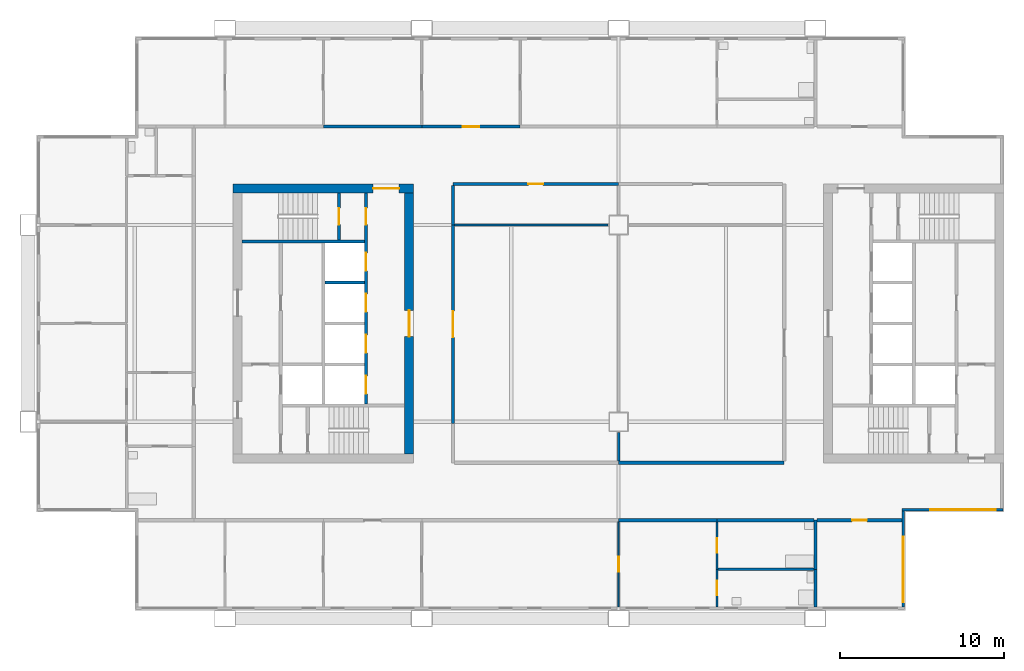
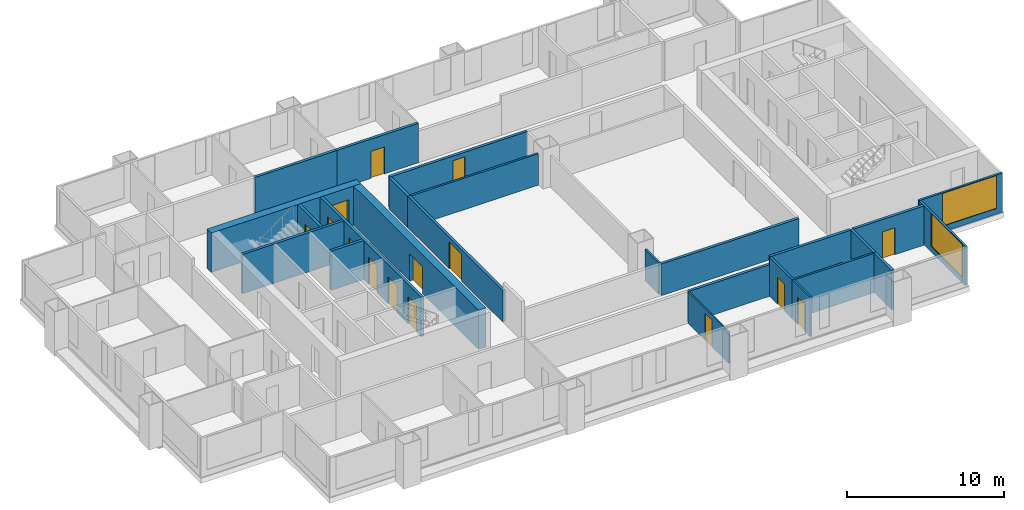
# One storey, part 4 of 9: 25 walls, 15 doors, 2 windows, 17 openings.
"""IFC4 building model written with IfcOpenShell, lengths in metres."""

from ifc_helpers import new_model, si_unit, direction, frame, frame_2d, origin, place, context, subcontext, project, spatial, rectangle, extrude, material, layer, layer_set, type_object, element, fill, save


model = new_model("IFC4")

# Units and contexts
model_context = context("Model", 3, precision=1e-05, world=origin(), true_north=direction((0.0, 1.0)))
body_context = subcontext(model_context, "Body", "Model", "MODEL_VIEW")
ifc_project = project(units=[si_unit("LENGTHUNIT", "METRE"), si_unit("AREAUNIT", "SQUARE_METRE"), si_unit("VOLUMEUNIT", "CUBIC_METRE"), si_unit("PLANEANGLEUNIT", "RADIAN"), si_unit("MASSUNIT", "GRAM", prefix="KILO")], contexts=[model_context])

# Site, building, storey
site_placement = place(None, origin())
site = spatial("IfcSite", under=ifc_project, at=site_placement, CompositionType="ELEMENT")
building_placement = place(site_placement, origin())
building = spatial("IfcBuilding", under=site, at=building_placement, Name="Kitamizu Gate Tower and Museum", CompositionType="ELEMENT")
storey_placement = place(building_placement, frame((0.0, 0.0, 168.60009765625)))
storey = spatial("IfcBuildingStorey", under=building, at=storey_placement, Name="L44", CompositionType="ELEMENT", Elevation=168.60009765625)

# Wall, opening, door
ifc_material_1 = material(Name="Concrete Fc42", Category="concrete")
ifc_layer_1 = layer(ifc_material_1, 0.550048828125)
ifc_layer_set_1 = layer_set([ifc_layer_1], Name="Concrete Fc42")
wall_type_1 = type_object("IfcWallType", Name="Core wall 550", PredefinedType="SHEAR", material=ifc_layer_set_1)
wall_1_placement = place(storey_placement, frame((12.5, 38.22509765625, 0.0), z_axis=(0.0, 0.0, 1.0), x_axis=(1.0, 0.0, 0.0)))
wall_1 = element("IfcWall", 1, at=wall_1_placement, inside=storey, type_object=wall_type_1, Name="Core wall WN", PredefinedType="SHEAR", context=body_context, shape_type="SweptSolid", body=[
    extrude(rectangle(XDim=11.0, YDim=0.550048828125, at=frame_2d((5.5, 0.0))), origin(), (0.0, 0.0, 1.0), 3.0498046875),
])
opening_1_placement = place(wall_1_placement, frame((8.52490234375, 0.0, 0.0)))
opening_1 = element("IfcOpeningElement", 2, at=opening_1_placement, cuts=wall_1, Name="Opening L44-037", PredefinedType="OPENING", context=body_context, shape_type="SweptSolid", body=[
    extrude(rectangle(XDim=1.60009765625, YDim=2.10009765625, at=frame_2d((0.800048828125, 1.050048828125))), frame((0.0, 0.28515625, 0.0), z_axis=(0.0, -1.0, 0.0), x_axis=(1.0, 0.0, 0.0)), (0.0, 0.0, 1.0), 0.570068359375),
])
ifc_material_2 = material(Name="Timber door set", Category="wood")
door_type_1 = type_object("IfcDoorType", Name="Entrance door 1600", OperationType="DOUBLE_DOOR_SINGLE_SWING", PredefinedType="DOOR", material=ifc_material_2)
door_1_placement = place(opening_1_placement, origin())
door_1 = element("IfcDoor", 3, at=door_1_placement, inside=storey, type_object=door_type_1, Name="Lobby door L44-037", OperationType="DOUBLE_DOOR_SINGLE_SWING", OverallHeight=2.10009765625, OverallWidth=1.60009765625, PredefinedType="DOOR", context=body_context, shape_type="SweptSolid", body=[
    extrude(rectangle(XDim=1.60009765625, YDim=2.10009765625, at=frame_2d((0.800048828125, 1.050048828125))), frame((0.0, 0.02490234375, 0.0), z_axis=(0.0, -1.0, 0.0), x_axis=(1.0, 0.0, 0.0)), (0.0, 0.0, 1.0), 0.050048828125),
])
fill(opening_1, door_1)

wall_2_placement = place(storey_placement, frame((23.22509765625, 22.050048828125, 0.0), z_axis=(0.0, 0.0, 1.0), x_axis=(0.0, 1.0, 0.0)))
wall_2 = element("IfcWall", 4, at=wall_2_placement, inside=storey, type_object=wall_type_1, Name="Core wall WARC", PredefinedType="SHEAR", context=body_context, shape_type="SweptSolid", body=[
    extrude(rectangle(XDim=15.89990234375, YDim=0.550048828125, at=frame_2d((7.949951171875, 0.0))), origin(), (0.0, 0.0, 1.0), 3.0498046875),
])
opening_2_placement = place(wall_2_placement, frame((7.14990234375, 0.0, 0.0)))
opening_2 = element("IfcOpeningElement", 5, at=opening_2_placement, cuts=wall_2, Name="Opening L44-038", PredefinedType="OPENING", context=body_context, shape_type="SweptSolid", body=[
    extrude(rectangle(XDim=1.60009765625, YDim=2.10009765625, at=frame_2d((0.800048828125, 1.050048828125))), frame((0.0, 0.28515625, 0.0), z_axis=(0.0, -1.0, 0.0), x_axis=(1.0, 0.0, 0.0)), (0.0, 0.0, 1.0), 0.570068359375),
])
door_2_placement = place(opening_2_placement, origin())
door_2 = element("IfcDoor", 6, at=door_2_placement, inside=storey, type_object=door_type_1, Name="Lobby door L44-038", OperationType="DOUBLE_DOOR_SINGLE_SWING", OverallHeight=2.10009765625, OverallWidth=1.60009765625, PredefinedType="DOOR", context=body_context, shape_type="SweptSolid", body=[
    extrude(rectangle(XDim=1.60009765625, YDim=2.10009765625, at=frame_2d((0.800048828125, 1.050048828125))), frame((0.0, 0.02490234375, 0.0), z_axis=(0.0, -1.0, 0.0), x_axis=(1.0, 0.0, 0.0)), (0.0, 0.0, 1.0), 0.050048828125),
])
fill(opening_2, door_2)

ifc_material_3 = material(Name="Gypsum board on galvanised stud")
ifc_layer_2 = layer(ifc_material_3, 0.10009765625)
ifc_layer_set_2 = layer_set([ifc_layer_2], Name="Gypsum board on galvanised stud")
wall_type_2 = type_object("IfcWallType", Name="Partition 100 NOT RATED", PredefinedType="PARTITIONING", material=ifc_layer_set_2)
wall_3_placement = place(storey_placement, frame((36.0, 12.719970703125, 0.0), z_axis=(0.0, 0.0, 1.0), x_axis=(0.0, 1.0, 0.0)))
wall_3 = element("IfcWall", 7, at=wall_3_placement, inside=storey, type_object=wall_type_2, Name="Partition L44-008", PredefinedType="PARTITIONING", context=body_context, shape_type="SweptSolid", body=[
    extrude(rectangle(XDim=5.179931640625, YDim=0.10009765625, at=frame_2d((2.58984375, 0.0))), origin(), (0.0, 0.0, 1.0), 2.449951171875),
])
opening_3_placement = place(wall_3_placement, frame((2.139892578125, 0.0, 0.0)))
opening_3 = element("IfcOpeningElement", 8, at=opening_3_placement, cuts=wall_3, Name="Opening L44-004", PredefinedType="OPENING", context=body_context, shape_type="SweptSolid", body=[
    extrude(rectangle(XDim=0.89990234375, YDim=2.10009765625, at=frame_2d((0.449951171875, 1.050048828125))), frame((0.0, 0.06005859375, 0.0), z_axis=(0.0, -1.0, 0.0), x_axis=(1.0, 0.0, 0.0)), (0.0, 0.0, 1.0), 0.1201171875),
])
ifc_material_4 = material(Name="Timber door set", Category="wood")
door_type_2 = type_object("IfcDoorType", Name="Room door 900", OperationType="NOTDEFINED", PredefinedType="DOOR", material=ifc_material_4)
door_3_placement = place(opening_3_placement, frame((0.89990234375, 0.0, 0.0), x_axis=(-1.0, 0.0, 0.0)))
door_3 = element("IfcDoor", 9, at=door_3_placement, inside=storey, type_object=door_type_2, Name="Door L44-004", OperationType="SINGLE_SWING_RIGHT", OverallHeight=2.10009765625, OverallWidth=0.89990234375, PredefinedType="DOOR", context=body_context, shape_type="SweptSolid", body=[
    extrude(rectangle(XDim=0.89990234375, YDim=2.10009765625, at=frame_2d((0.449951171875, 1.050048828125))), frame((0.0, 0.02490234375, 0.0), z_axis=(0.0, -1.0, 0.0), x_axis=(1.0, 0.0, 0.0)), (0.0, 0.0, 1.0), 0.050048828125),
])
fill(opening_3, door_3)

ifc_material_5 = material(Name="Gypsum board on galvanised stud")
ifc_layer_3 = layer(ifc_material_5, 0.14990234375)
ifc_layer_set_3 = layer_set([ifc_layer_3], Name="Gypsum board on galvanised stud")
wall_type_3 = type_object("IfcWallType", Name="Partition 150", PredefinedType="PARTITIONING", material=ifc_layer_set_3)
wall_4_placement = place(storey_placement, frame((42.0, 12.719970703125, 0.0), z_axis=(0.0, 0.0, 1.0), x_axis=(0.0, 1.0, 0.0)))
wall_4 = element("IfcWall", 10, at=wall_4_placement, inside=storey, type_object=wall_type_3, Name="Partition L44-010", PredefinedType="PARTITIONING", context=body_context, shape_type="SweptSolid", body=[
    extrude(rectangle(XDim=2.280029296875, YDim=0.14990234375, at=frame_2d((1.14013671875, 0.0))), origin(), (0.0, 0.0, 1.0), 3.0498046875),
])
opening_4_placement = place(wall_4_placement, frame((0.68994140625, 0.0, 0.0)))
opening_4 = element("IfcOpeningElement", 11, at=opening_4_placement, cuts=wall_4, Name="Opening L44-005", PredefinedType="OPENING", context=body_context, shape_type="SweptSolid", body=[
    extrude(rectangle(XDim=0.89990234375, YDim=2.10009765625, at=frame_2d((0.449951171875, 1.050048828125))), frame((0.0, 0.0849609375, 0.0), z_axis=(0.0, -1.0, 0.0), x_axis=(1.0, 0.0, 0.0)), (0.0, 0.0, 1.0), 0.169921875),
])
ifc_material_6 = material(Name="Timber door set", Category="wood")
door_type_3 = type_object("IfcDoorType", Name="Bathroom door 900", OperationType="NOTDEFINED", PredefinedType="DOOR", material=ifc_material_6)
door_4_placement = place(opening_4_placement, frame((0.89990234375, 0.0, 0.0), x_axis=(-1.0, 0.0, 0.0)))
door_4 = element("IfcDoor", 12, at=door_4_placement, inside=storey, type_object=door_type_3, Name="Bathroom door L44-005", OperationType="SINGLE_SWING_LEFT", OverallHeight=2.10009765625, OverallWidth=0.89990234375, PredefinedType="DOOR", context=body_context, shape_type="SweptSolid", body=[
    extrude(rectangle(XDim=0.89990234375, YDim=2.10009765625, at=frame_2d((0.449951171875, 1.050048828125))), frame((0.0, 0.02490234375, 0.0), z_axis=(0.0, -1.0, 0.0), x_axis=(1.0, 0.0, 0.0)), (0.0, 0.0, 1.0), 0.050048828125),
])
fill(opening_4, door_4)

wall_5_placement = place(storey_placement, frame((42.0, 15.0, 0.0), z_axis=(0.0, 0.0, 1.0), x_axis=(0.0, 1.0, 0.0)))
wall_5 = element("IfcWall", 13, at=wall_5_placement, inside=storey, type_object=wall_type_3, Name="Partition L44-011", PredefinedType="PARTITIONING", context=body_context, shape_type="SweptSolid", body=[
    extrude(rectangle(XDim=2.89990234375, YDim=0.14990234375, at=frame_2d((1.449951171875, 0.0))), origin(), (0.0, 0.0, 1.0), 3.0498046875),
])
opening_5_placement = place(wall_5_placement, frame((1.0, 0.0, 0.0)))
opening_5 = element("IfcOpeningElement", 14, at=opening_5_placement, cuts=wall_5, Name="Opening L44-007", PredefinedType="OPENING", context=body_context, shape_type="SweptSolid", body=[
    extrude(rectangle(XDim=0.89990234375, YDim=2.10009765625, at=frame_2d((0.449951171875, 1.050048828125))), frame((0.0, 0.0849609375, 0.0), z_axis=(0.0, -1.0, 0.0), x_axis=(1.0, 0.0, 0.0)), (0.0, 0.0, 1.0), 0.169921875),
])
door_5_placement = place(opening_5_placement, frame((0.89990234375, 0.0, 0.0), x_axis=(-1.0, 0.0, 0.0)))
door_5 = element("IfcDoor", 15, at=door_5_placement, inside=storey, type_object=door_type_3, Name="Bathroom door L44-007", OperationType="SINGLE_SWING_LEFT", OverallHeight=2.10009765625, OverallWidth=0.89990234375, PredefinedType="DOOR", context=body_context, shape_type="SweptSolid", body=[
    extrude(rectangle(XDim=0.89990234375, YDim=2.10009765625, at=frame_2d((0.449951171875, 1.050048828125))), frame((0.0, 0.02490234375, 0.0), z_axis=(0.0, -1.0, 0.0), x_axis=(1.0, 0.0, 0.0)), (0.0, 0.0, 1.0), 0.050048828125),
])
fill(opening_5, door_5)

# Walls
wall_6_placement = place(storey_placement, frame((47.89990234375, 15.0, 0.0), z_axis=(0.0, 0.0, 1.0), x_axis=(-1.0, 0.0, 0.0)))
element("IfcWall", 16, at=wall_6_placement, inside=storey, type_object=wall_type_3, Name="Partition L44-013", PredefinedType="PARTITIONING", context=body_context, shape_type="SweptSolid", body=[
    extrude(rectangle(XDim=5.824951171875, YDim=0.14990234375, at=frame_2d((2.91259765625, 0.0))), origin(), (0.0, 0.0, 1.0), 3.0498046875),
])
wall_7_placement = place(storey_placement, frame((36.0, 21.60009765625, 0.0), z_axis=(0.0, 0.0, 1.0), x_axis=(0.0, 1.0, 0.0)))
element("IfcWall", 17, at=wall_7_placement, inside=storey, type_object=wall_type_3, Name="Partition L44-067", PredefinedType="PARTITIONING", context=body_context, shape_type="SweptSolid", body=[
    extrude(rectangle(XDim=1.75, YDim=0.14990234375, at=frame_2d((0.875, 0.0))), origin(), (0.0, 0.0, 1.0), 2.449951171875),
])
wall_8_placement = place(storey_placement, frame((35.35009765625, 36.0, 0.0), z_axis=(0.0, 0.0, 1.0), x_axis=(-1.0, 0.0, 0.0)))
element("IfcWall", 18, at=wall_8_placement, inside=storey, type_object=wall_type_3, Name="Partition L44-069", PredefinedType="PARTITIONING", context=body_context, shape_type="SweptSolid", body=[
    extrude(rectangle(XDim=9.35009765625, YDim=0.14990234375, at=frame_2d((4.675048828125, 0.0))), origin(), (0.0, 0.0, 1.0), 2.449951171875),
])
ifc_material_7 = material(Name="Gypsum board on galvanised stud")
ifc_layer_4 = layer(ifc_material_7, 0.199951171875)
ifc_layer_set_4 = layer_set([ifc_layer_4], Name="Gypsum board on galvanised stud")
wall_type_4 = type_object("IfcWallType", Name="Partition 200", PredefinedType="PARTITIONING", material=ifc_layer_set_4)
wall_9_placement = place(storey_placement, frame((42.0, 18.0, 0.0), z_axis=(0.0, 0.0, 1.0), x_axis=(-1.0, 0.0, 0.0)))
element("IfcWall", 19, at=wall_9_placement, inside=storey, type_object=wall_type_4, Name="Partition L44-012", PredefinedType="PARTITIONING", context=body_context, shape_type="SweptSolid", body=[
    extrude(rectangle(XDim=6.0, YDim=0.199951171875, at=frame_2d((3.0, 0.0))), origin(), (0.0, 0.0, 1.0), 2.449951171875),
])
wall_10_placement = place(storey_placement, frame((48.0, 12.719970703125, 0.0), z_axis=(0.0, 0.0, 1.0), x_axis=(0.0, 1.0, 0.0)))
element("IfcWall", 20, at=wall_10_placement, inside=storey, type_object=wall_type_4, Name="Partition L44-014", PredefinedType="PARTITIONING", context=body_context, shape_type="SweptSolid", body=[
    extrude(rectangle(XDim=2.280029296875, YDim=0.199951171875, at=frame_2d((1.14013671875, 0.0))), origin(), (0.0, 0.0, 1.0), 3.0498046875),
])
wall_11_placement = place(storey_placement, frame((48.0, 15.0, 0.0), z_axis=(0.0, 0.0, 1.0), x_axis=(0.0, 1.0, 0.0)))
element("IfcWall", 21, at=wall_11_placement, inside=storey, type_object=wall_type_4, Name="Partition L44-015", PredefinedType="PARTITIONING", context=body_context, shape_type="SweptSolid", body=[
    extrude(rectangle(XDim=3.0, YDim=0.199951171875, at=frame_2d((1.5, 0.0))), origin(), (0.0, 0.0, 1.0), 3.0498046875),
])
wall_12_placement = place(storey_placement, frame((47.89990234375, 18.0, 0.0), z_axis=(0.0, 0.0, 1.0), x_axis=(-1.0, 0.0, 0.0)))
element("IfcWall", 22, at=wall_12_placement, inside=storey, type_object=wall_type_4, Name="Partition L44-016", PredefinedType="PARTITIONING", context=body_context, shape_type="SweptSolid", body=[
    extrude(rectangle(XDim=5.89990234375, YDim=0.199951171875, at=frame_2d((2.949951171875, 0.0))), origin(), (0.0, 0.0, 1.0), 3.0498046875),
])

# Wall, opening, door
wall_13_placement = place(storey_placement, frame((53.280029296875, 18.0, 0.0), z_axis=(0.0, 0.0, 1.0), x_axis=(-1.0, 0.0, 0.0)))
wall_13 = element("IfcWall", 23, at=wall_13_placement, inside=storey, type_object=wall_type_4, Name="Partition L44-017", PredefinedType="PARTITIONING", context=body_context, shape_type="SweptSolid", body=[
    extrude(rectangle(XDim=5.179931640625, YDim=0.199951171875, at=frame_2d((2.58984375, 0.0))), origin(), (0.0, 0.0, 1.0), 3.0498046875),
])
opening_6_placement = place(wall_13_placement, frame((2.139892578125, 0.0, 0.0)))
opening_6 = element("IfcOpeningElement", 24, at=opening_6_placement, cuts=wall_13, Name="Opening L44-024", PredefinedType="OPENING", context=body_context, shape_type="SweptSolid", body=[
    extrude(rectangle(XDim=0.89990234375, YDim=2.10009765625, at=frame_2d((0.449951171875, 1.050048828125))), frame((0.0, 0.10986328125, 0.0), z_axis=(0.0, -1.0, 0.0), x_axis=(1.0, 0.0, 0.0)), (0.0, 0.0, 1.0), 0.219970703125),
])
door_6_placement = place(opening_6_placement, origin())
door_6 = element("IfcDoor", 25, at=door_6_placement, inside=storey, type_object=door_type_2, Name="Door L44-024", OperationType="SINGLE_SWING_RIGHT", OverallHeight=2.10009765625, OverallWidth=0.89990234375, PredefinedType="DOOR", context=body_context, shape_type="SweptSolid", body=[
    extrude(rectangle(XDim=0.89990234375, YDim=2.10009765625, at=frame_2d((0.449951171875, 1.050048828125))), frame((0.0, 0.02490234375, 0.0), z_axis=(0.0, -1.0, 0.0), x_axis=(1.0, 0.0, 0.0)), (0.0, 0.0, 1.0), 0.050048828125),
])
fill(opening_6, door_6)

# Wall
wall_14_placement = place(storey_placement, frame((18.0, 42.0, 0.0), z_axis=(0.0, 0.0, 1.0), x_axis=(1.0, 0.0, 0.0)))
element("IfcWall", 26, at=wall_14_placement, inside=storey, type_object=wall_type_4, Name="Partition L44-025", PredefinedType="PARTITIONING", context=body_context, shape_type="SweptSolid", body=[
    extrude(rectangle(XDim=6.0, YDim=0.199951171875, at=frame_2d((3.0, 0.0))), origin(), (0.0, 0.0, 1.0), 3.0498046875),
])

# Wall, opening, door
wall_15_placement = place(storey_placement, frame((24.0, 42.0, 0.0), z_axis=(0.0, 0.0, 1.0), x_axis=(1.0, 0.0, 0.0)))
wall_15 = element("IfcWall", 27, at=wall_15_placement, inside=storey, type_object=wall_type_4, Name="Partition L44-027", PredefinedType="PARTITIONING", context=body_context, shape_type="SweptSolid", body=[
    extrude(rectangle(XDim=6.0, YDim=0.199951171875, at=frame_2d((3.0, 0.0))), origin(), (0.0, 0.0, 1.0), 3.0498046875),
])
opening_7_placement = place(wall_15_placement, frame((2.5, 0.0, 0.0)))
opening_7 = element("IfcOpeningElement", 28, at=opening_7_placement, cuts=wall_15, Name="Opening L44-008", PredefinedType="OPENING", context=body_context, shape_type="SweptSolid", body=[
    extrude(rectangle(XDim=1.0, YDim=2.10009765625, at=frame_2d((0.5, 1.050048828125))), frame((0.0, 0.10986328125, 0.0), z_axis=(0.0, -1.0, 0.0), x_axis=(1.0, 0.0, 0.0)), (0.0, 0.0, 1.0), 0.219970703125),
])
ifc_material_8 = material(Name="Timber door set", Category="wood")
door_type_4 = type_object("IfcDoorType", Name="Flat entrance door 1000", OperationType="NOTDEFINED", PredefinedType="DOOR", material=ifc_material_8)
door_7_placement = place(opening_7_placement, origin())
door_7 = element("IfcDoor", 29, at=door_7_placement, inside=storey, type_object=door_type_4, Name="Flat entrance door L44-008", OperationType="SINGLE_SWING_LEFT", OverallHeight=2.10009765625, OverallWidth=1.0, PredefinedType="DOOR", context=body_context, shape_type="SweptSolid", body=[
    extrude(rectangle(XDim=1.0, YDim=2.10009765625, at=frame_2d((0.5, 1.050048828125))), frame((0.0, 0.02490234375, 0.0), z_axis=(0.0, -1.0, 0.0), x_axis=(1.0, 0.0, 0.0)), (0.0, 0.0, 1.0), 0.050048828125),
])
fill(opening_7, door_7)

wall_16_placement = place(storey_placement, frame((25.89990234375, 36.0, 0.0), z_axis=(0.0, 0.0, 1.0), x_axis=(0.0, -1.0, 0.0)))
wall_16 = element("IfcWall", 30, at=wall_16_placement, inside=storey, type_object=wall_type_4, Name="Partition L44-058", PredefinedType="PARTITIONING", context=body_context, shape_type="SweptSolid", body=[
    extrude(rectangle(XDim=12.10009765625, YDim=0.199951171875, at=frame_2d((6.050048828125, 0.0))), origin(), (0.0, 0.0, 1.0), 2.449951171875),
])
opening_8_placement = place(wall_16_placement, frame((5.25, 0.0, 0.0)))
opening_8 = element("IfcOpeningElement", 31, at=opening_8_placement, cuts=wall_16, Name="Opening L44-026", PredefinedType="OPENING", context=body_context, shape_type="SweptSolid", body=[
    extrude(rectangle(XDim=1.60009765625, YDim=2.10009765625, at=frame_2d((0.800048828125, 1.050048828125))), frame((0.0, 0.10986328125, 0.0), z_axis=(0.0, -1.0, 0.0), x_axis=(1.0, 0.0, 0.0)), (0.0, 0.0, 1.0), 0.219970703125),
])
ifc_material_9 = material(Name="Timber door set", Category="wood")
door_type_5 = type_object("IfcDoorType", Name="Double door 1600", OperationType="DOUBLE_DOOR_SINGLE_SWING", PredefinedType="DOOR", material=ifc_material_9)
door_8_placement = place(opening_8_placement, origin())
door_8 = element("IfcDoor", 32, at=door_8_placement, inside=storey, type_object=door_type_5, Name="Double door L44-026", OperationType="DOUBLE_DOOR_SINGLE_SWING", OverallHeight=2.10009765625, OverallWidth=1.60009765625, PredefinedType="DOOR", context=body_context, shape_type="SweptSolid", body=[
    extrude(rectangle(XDim=1.60009765625, YDim=2.10009765625, at=frame_2d((0.800048828125, 1.050048828125))), frame((0.0, 0.02490234375, 0.0), z_axis=(0.0, -1.0, 0.0), x_axis=(1.0, 0.0, 0.0)), (0.0, 0.0, 1.0), 0.050048828125),
])
fill(opening_8, door_8)

# Wall
wall_17_placement = place(storey_placement, frame((36.0, 21.5, 0.0), z_axis=(0.0, 0.0, 1.0), x_axis=(1.0, 0.0, 0.0)))
element("IfcWall", 33, at=wall_17_placement, inside=storey, type_object=wall_type_4, Name="Partition L44-061", PredefinedType="PARTITIONING", context=body_context, shape_type="SweptSolid", body=[
    extrude(rectangle(XDim=10.10009765625, YDim=0.199951171875, at=frame_2d((5.050048828125, 0.0))), origin(), (0.0, 0.0, 1.0), 2.449951171875),
])

# Wall, opening, door
wall_18_placement = place(storey_placement, frame((36.0, 38.5, 0.0), z_axis=(0.0, 0.0, 1.0), x_axis=(-1.0, 0.0, 0.0)))
wall_18 = element("IfcWall", 34, at=wall_18_placement, inside=storey, type_object=wall_type_4, Name="Partition L44-063", PredefinedType="PARTITIONING", context=body_context, shape_type="SweptSolid", body=[
    extrude(rectangle(XDim=10.10009765625, YDim=0.199951171875, at=frame_2d((5.050048828125, 0.0))), origin(), (0.0, 0.0, 1.0), 2.449951171875),
])
opening_9_placement = place(wall_18_placement, frame((4.60009765625, 0.0, 0.0)))
opening_9 = element("IfcOpeningElement", 35, at=opening_9_placement, cuts=wall_18, Name="Opening L44-028", PredefinedType="OPENING", context=body_context, shape_type="SweptSolid", body=[
    extrude(rectangle(XDim=0.89990234375, YDim=2.10009765625, at=frame_2d((0.449951171875, 1.050048828125))), frame((0.0, 0.10986328125, 0.0), z_axis=(0.0, -1.0, 0.0), x_axis=(1.0, 0.0, 0.0)), (0.0, 0.0, 1.0), 0.219970703125),
])
door_9_placement = place(opening_9_placement, origin())
door_9 = element("IfcDoor", 36, at=door_9_placement, inside=storey, type_object=door_type_2, Name="Door L44-028", OperationType="SINGLE_SWING_RIGHT", OverallHeight=2.10009765625, OverallWidth=0.89990234375, PredefinedType="DOOR", context=body_context, shape_type="SweptSolid", body=[
    extrude(rectangle(XDim=0.89990234375, YDim=2.10009765625, at=frame_2d((0.449951171875, 1.050048828125))), frame((0.0, 0.02490234375, 0.0), z_axis=(0.0, -1.0, 0.0), x_axis=(1.0, 0.0, 0.0)), (0.0, 0.0, 1.0), 0.050048828125),
])
fill(opening_9, door_9)

# Wall
wall_19_placement = place(storey_placement, frame((25.89990234375, 38.39990234375, 0.0), z_axis=(0.0, 0.0, 1.0), x_axis=(0.0, -1.0, 0.0)))
element("IfcWall", 37, at=wall_19_placement, inside=storey, type_object=wall_type_4, Name="Partition L44-064", PredefinedType="PARTITIONING", context=body_context, shape_type="SweptSolid", body=[
    extrude(rectangle(XDim=2.39990234375, YDim=0.199951171875, at=frame_2d((1.199951171875, 0.0))), origin(), (0.0, 0.0, 1.0), 2.449951171875),
])

# Wall, openings, doors
ifc_material_10 = material(Name="Concrete Fc42", Category="concrete")
ifc_layer_5 = layer(ifc_material_10, 0.199951171875)
ifc_layer_set_5 = layer_set([ifc_layer_5], Name="Concrete Fc42")
wall_type_5 = type_object("IfcWallType", Name="Shaft wall 200", PredefinedType="SOLIDWALL", material=ifc_layer_set_5)
wall_20_placement = place(storey_placement, frame((20.60009765625, 25.10009765625, 0.0), z_axis=(0.0, 0.0, 1.0), x_axis=(0.0, 1.0, 0.0)))
wall_20 = element("IfcWall", 38, at=wall_20_placement, inside=storey, type_object=wall_type_5, Name="Shaft wall WEAST", PredefinedType="SOLIDWALL", context=body_context, shape_type="SweptSolid", body=[
    extrude(rectangle(XDim=12.849853515625, YDim=0.199951171875, at=frame_2d((6.4248046875, 0.0))), origin(), (0.0, 0.0, 1.0), 3.0498046875),
])
opening_10_placement = place(wall_20_placement, frame((0.60009765625, 0.0, 0.0)))
opening_10 = element("IfcOpeningElement", 39, at=opening_10_placement, cuts=wall_20, Name="Opening LD", PredefinedType="OPENING", context=body_context, shape_type="SweptSolid", body=[
    extrude(rectangle(XDim=1.10009765625, YDim=2.10009765625, at=frame_2d((0.550048828125, 1.050048828125))), frame((0.0, 0.10986328125, 0.0), z_axis=(0.0, -1.0, 0.0), x_axis=(1.0, 0.0, 0.0)), (0.0, 0.0, 1.0), 0.219970703125),
])
opening_11_placement = place(wall_20_placement, frame((3.10009765625, 0.0, 0.0)))
opening_11 = element("IfcOpeningElement", 40, at=opening_11_placement, cuts=wall_20, Name="Opening LD", PredefinedType="OPENING", context=body_context, shape_type="SweptSolid", body=[
    extrude(rectangle(XDim=1.10009765625, YDim=2.10009765625, at=frame_2d((0.550048828125, 1.050048828125))), frame((0.0, 0.10986328125, 0.0), z_axis=(0.0, -1.0, 0.0), x_axis=(1.0, 0.0, 0.0)), (0.0, 0.0, 1.0), 0.219970703125),
])
opening_12_placement = place(wall_20_placement, frame((5.60009765625, 0.0, 0.0)))
opening_12 = element("IfcOpeningElement", 41, at=opening_12_placement, cuts=wall_20, Name="Opening LD", PredefinedType="OPENING", context=body_context, shape_type="SweptSolid", body=[
    extrude(rectangle(XDim=1.10009765625, YDim=2.10009765625, at=frame_2d((0.550048828125, 1.050048828125))), frame((0.0, 0.10986328125, 0.0), z_axis=(0.0, -1.0, 0.0), x_axis=(1.0, 0.0, 0.0)), (0.0, 0.0, 1.0), 0.219970703125),
])
opening_13_placement = place(wall_20_placement, frame((8.10009765625, 0.0, 0.0)))
opening_13 = element("IfcOpeningElement", 42, at=opening_13_placement, cuts=wall_20, Name="Opening LD", PredefinedType="OPENING", context=body_context, shape_type="SweptSolid", body=[
    extrude(rectangle(XDim=1.10009765625, YDim=2.10009765625, at=frame_2d((0.550048828125, 1.050048828125))), frame((0.0, 0.10986328125, 0.0), z_axis=(0.0, -1.0, 0.0), x_axis=(1.0, 0.0, 0.0)), (0.0, 0.0, 1.0), 0.219970703125),
])
opening_14_placement = place(wall_20_placement, frame((10.925048828125, 0.0, 0.0)))
opening_14 = element("IfcOpeningElement", 43, at=opening_14_placement, cuts=wall_20, Name="Opening L44-032", PredefinedType="OPENING", context=body_context, shape_type="SweptSolid", body=[
    extrude(rectangle(XDim=1.0, YDim=2.10009765625, at=frame_2d((0.5, 1.050048828125))), frame((0.0, 0.10986328125, 0.0), z_axis=(0.0, -1.0, 0.0), x_axis=(1.0, 0.0, 0.0)), (0.0, 0.0, 1.0), 0.219970703125),
])
ifc_material_11 = material(Name="Hollow metal door set")
door_type_6 = type_object("IfcDoorType", Name="Fire door 1000", OperationType="NOTDEFINED", PredefinedType="DOOR", material=ifc_material_11)
door_10_placement = place(opening_14_placement, origin())
door_10 = element("IfcDoor", 44, at=door_10_placement, inside=storey, type_object=door_type_6, Name="Stair lobby door L44-032", OperationType="SINGLE_SWING_RIGHT", OverallHeight=2.10009765625, OverallWidth=1.0, PredefinedType="DOOR", context=body_context, shape_type="SweptSolid", body=[
    extrude(rectangle(XDim=1.0, YDim=2.10009765625, at=frame_2d((0.5, 1.050048828125))), frame((0.0, 0.02490234375, 0.0), z_axis=(0.0, -1.0, 0.0), x_axis=(1.0, 0.0, 0.0)), (0.0, 0.0, 1.0), 0.050048828125),
])
fill(opening_14, door_10)
ifc_material_12 = material(Name="Hollow metal door set")
door_type_7 = type_object("IfcDoorType", Name="Landing door 1100", OperationType="SLIDING_TO_LEFT", PredefinedType="DOOR", material=ifc_material_12)
door_11_placement = place(opening_10_placement, origin())
door_11 = element("IfcDoor", 45, at=door_11_placement, inside=storey, type_object=door_type_7, Name="Landing door WSV1", OperationType="SLIDING_TO_LEFT", OverallHeight=2.10009765625, OverallWidth=1.10009765625, PredefinedType="DOOR", context=body_context, shape_type="SweptSolid", body=[
    extrude(rectangle(XDim=1.10009765625, YDim=2.10009765625, at=frame_2d((0.550048828125, 1.050048828125))), frame((0.0, 0.02490234375, 0.0), z_axis=(0.0, -1.0, 0.0), x_axis=(1.0, 0.0, 0.0)), (0.0, 0.0, 1.0), 0.050048828125),
])
fill(opening_10, door_11)
door_12_placement = place(opening_11_placement, origin())
door_12 = element("IfcDoor", 46, at=door_12_placement, inside=storey, type_object=door_type_7, Name="Landing door WH1", OperationType="SLIDING_TO_LEFT", OverallHeight=2.10009765625, OverallWidth=1.10009765625, PredefinedType="DOOR", context=body_context, shape_type="SweptSolid", body=[
    extrude(rectangle(XDim=1.10009765625, YDim=2.10009765625, at=frame_2d((0.550048828125, 1.050048828125))), frame((0.0, 0.02490234375, 0.0), z_axis=(0.0, -1.0, 0.0), x_axis=(1.0, 0.0, 0.0)), (0.0, 0.0, 1.0), 0.050048828125),
])
fill(opening_11, door_12)
door_13_placement = place(opening_12_placement, origin())
door_13 = element("IfcDoor", 47, at=door_13_placement, inside=storey, type_object=door_type_7, Name="Landing door WH2", OperationType="SLIDING_TO_LEFT", OverallHeight=2.10009765625, OverallWidth=1.10009765625, PredefinedType="DOOR", context=body_context, shape_type="SweptSolid", body=[
    extrude(rectangle(XDim=1.10009765625, YDim=2.10009765625, at=frame_2d((0.550048828125, 1.050048828125))), frame((0.0, 0.02490234375, 0.0), z_axis=(0.0, -1.0, 0.0), x_axis=(1.0, 0.0, 0.0)), (0.0, 0.0, 1.0), 0.050048828125),
])
fill(opening_12, door_13)
door_14_placement = place(opening_13_placement, origin())
door_14 = element("IfcDoor", 48, at=door_14_placement, inside=storey, type_object=door_type_7, Name="Landing door WH3", OperationType="SLIDING_TO_LEFT", OverallHeight=2.10009765625, OverallWidth=1.10009765625, PredefinedType="DOOR", context=body_context, shape_type="SweptSolid", body=[
    extrude(rectangle(XDim=1.10009765625, YDim=2.10009765625, at=frame_2d((0.550048828125, 1.050048828125))), frame((0.0, 0.02490234375, 0.0), z_axis=(0.0, -1.0, 0.0), x_axis=(1.0, 0.0, 0.0)), (0.0, 0.0, 1.0), 0.050048828125),
])
fill(opening_13, door_14)

# Wall
wall_21_placement = place(storey_placement, frame((13.050048828125, 35.0, 0.0), z_axis=(0.0, 0.0, 1.0), x_axis=(1.0, 0.0, 0.0)))
element("IfcWall", 49, at=wall_21_placement, inside=storey, type_object=wall_type_5, Name="Shaft wall WNB", PredefinedType="SOLIDWALL", context=body_context, shape_type="SweptSolid", body=[
    extrude(rectangle(XDim=7.449951171875, YDim=0.199951171875, at=frame_2d((3.72509765625, 0.0))), origin(), (0.0, 0.0, 1.0), 3.0498046875),
])

# Wall, opening, door
wall_22_placement = place(storey_placement, frame((18.949951171875, 35.10009765625, 0.0), z_axis=(0.0, 0.0, 1.0), x_axis=(0.0, 1.0, 0.0)))
wall_22 = element("IfcWall", 50, at=wall_22_placement, inside=storey, type_object=wall_type_5, Name="Shaft wall WNZ", PredefinedType="SOLIDWALL", context=body_context, shape_type="SweptSolid", body=[
    extrude(rectangle(XDim=2.849853515625, YDim=0.199951171875, at=frame_2d((1.4248046875, 0.0))), origin(), (0.0, 0.0, 1.0), 3.0498046875),
])
opening_15_placement = place(wall_22_placement, frame((0.925048828125, 0.0, 0.0)))
opening_15 = element("IfcOpeningElement", 51, at=opening_15_placement, cuts=wall_22, Name="Opening L44-033", PredefinedType="OPENING", context=body_context, shape_type="SweptSolid", body=[
    extrude(rectangle(XDim=1.0, YDim=2.10009765625, at=frame_2d((0.5, 1.050048828125))), frame((0.0, 0.10986328125, 0.0), z_axis=(0.0, -1.0, 0.0), x_axis=(1.0, 0.0, 0.0)), (0.0, 0.0, 1.0), 0.219970703125),
])
door_15_placement = place(opening_15_placement, origin())
door_15 = element("IfcDoor", 52, at=door_15_placement, inside=storey, type_object=door_type_6, Name="Stair door L44-033", OperationType="SINGLE_SWING_LEFT", OverallHeight=2.10009765625, OverallWidth=1.0, PredefinedType="DOOR", context=body_context, shape_type="SweptSolid", body=[
    extrude(rectangle(XDim=1.0, YDim=2.10009765625, at=frame_2d((0.5, 1.050048828125))), frame((0.0, 0.02490234375, 0.0), z_axis=(0.0, -1.0, 0.0), x_axis=(1.0, 0.0, 0.0)), (0.0, 0.0, 1.0), 0.050048828125),
])
fill(opening_15, door_15)

# Wall
wall_23_placement = place(storey_placement, frame((18.10009765625, 32.5, 0.0), z_axis=(0.0, 0.0, 1.0), x_axis=(1.0, 0.0, 0.0)))
element("IfcWall", 53, at=wall_23_placement, inside=storey, type_object=wall_type_5, Name="Shaft wall WDVE2", PredefinedType="SOLIDWALL", context=body_context, shape_type="SweptSolid", body=[
    extrude(rectangle(XDim=2.39990234375, YDim=0.199951171875, at=frame_2d((1.199951171875, 0.0))), origin(), (0.0, 0.0, 1.0), 3.0498046875),
])

# Wall, opening, window
ifc_material_13 = material(Name="Bronze anodised aluminium frame with insulated spandrel and tinted glass", Category="aluminium")
ifc_layer_6 = layer(ifc_material_13, 0.14990234375)
ifc_layer_set_6 = layer_set([ifc_layer_6], Name="Bronze anodised aluminium frame with insulated spandrel and tinted glass")
wall_type_6 = type_object("IfcWallType", Name="WINDOW WALL 150 BRONZE FRAME EI 30", PredefinedType="ELEMENTEDWALL", material=ifc_layer_set_6)
wall_24_placement = place(storey_placement, frame((53.364990234375, 12.7099609375, 0.0), z_axis=(0.0, 0.0, 1.0), x_axis=(0.0, 1.0, 0.0)))
wall_24 = element("IfcWall", 54, at=wall_24_placement, inside=storey, type_object=wall_type_6, Name="Window wall east L44", PredefinedType="ELEMENTEDWALL", context=body_context, shape_type="SweptSolid", body=[
    extrude(rectangle(XDim=5.85009765625, YDim=0.14990234375, at=frame_2d((2.925048828125, 0.0))), origin(), (0.0, 0.0, 1.0), 3.0498046875),
])
opening_16_placement = place(wall_24_placement, frame((0.2900390625, 0.0, 0.449951171875)))
opening_16 = element("IfcOpeningElement", 55, at=opening_16_placement, cuts=wall_24, Name="Opening W16", PredefinedType="OPENING", context=body_context, shape_type="SweptSolid", body=[
    extrude(rectangle(XDim=4.0, YDim=2.550048828125, at=frame_2d((2.0, 1.27490234375))), frame((0.0, 0.0849609375, 0.0), z_axis=(0.0, -1.0, 0.0), x_axis=(1.0, 0.0, 0.0)), (0.0, 0.0, 1.0), 0.169921875),
])
ifc_material_14 = material(Name="Bronze anodised aluminium frame, tinted triple glazing", Category="aluminium")
window_type = type_object("IfcWindowType", Name="WINDOW 4000 x 2550 SILL 450", PartitioningType="SINGLE_PANEL", PredefinedType="WINDOW", material=ifc_material_14)
window_1_placement = place(opening_16_placement, origin())
window_1 = element("IfcWindow", 56, at=window_1_placement, inside=storey, type_object=window_type, Name="Window W16 L44", OverallHeight=2.550048828125, OverallWidth=4.0, PartitioningType="SINGLE_PANEL", PredefinedType="WINDOW", context=body_context, shape_type="SweptSolid", body=[
    extrude(rectangle(XDim=4.0, YDim=2.550048828125, at=frame_2d((2.0, 1.27490234375))), frame((0.0, 0.030029296875, 0.0), z_axis=(0.0, -1.0, 0.0), x_axis=(1.0, 0.0, 0.0)), (0.0, 0.0, 1.0), 0.06005859375),
])
fill(opening_16, window_1)

wall_25_placement = place(storey_placement, frame((53.2900390625, 18.635009765625, 0.0), z_axis=(0.0, 0.0, 1.0), x_axis=(1.0, 0.0, 0.0)))
wall_25 = element("IfcWall", 57, at=wall_25_placement, inside=storey, type_object=wall_type_6, Name="Window wall south L44", PredefinedType="ELEMENTEDWALL", context=body_context, shape_type="SweptSolid", body=[
    extrude(rectangle(XDim=6.14990234375, YDim=0.14990234375, at=frame_2d((3.074951171875, 0.0))), origin(), (0.0, 0.0, 1.0), 3.0498046875),
])
opening_17_placement = place(wall_25_placement, frame((1.7099609375, 0.0, 0.449951171875)))
opening_17 = element("IfcOpeningElement", 58, at=opening_17_placement, cuts=wall_25, Name="Opening W16", PredefinedType="OPENING", context=body_context, shape_type="SweptSolid", body=[
    extrude(rectangle(XDim=4.0, YDim=2.550048828125, at=frame_2d((2.0, 1.27490234375))), frame((0.0, 0.0849609375, 0.0), z_axis=(0.0, -1.0, 0.0), x_axis=(1.0, 0.0, 0.0)), (0.0, 0.0, 1.0), 0.169921875),
])
window_2_placement = place(opening_17_placement, origin())
window_2 = element("IfcWindow", 59, at=window_2_placement, inside=storey, type_object=window_type, Name="Window W16 L44", OverallHeight=2.550048828125, OverallWidth=4.0, PartitioningType="SINGLE_PANEL", PredefinedType="WINDOW", context=body_context, shape_type="SweptSolid", body=[
    extrude(rectangle(XDim=4.0, YDim=2.550048828125, at=frame_2d((2.0, 1.27490234375))), frame((0.0, 0.030029296875, 0.0), z_axis=(0.0, -1.0, 0.0), x_axis=(1.0, 0.0, 0.0)), (0.0, 0.0, 1.0), 0.06005859375),
])
fill(opening_17, window_2)

save(model, "model.ifc")
